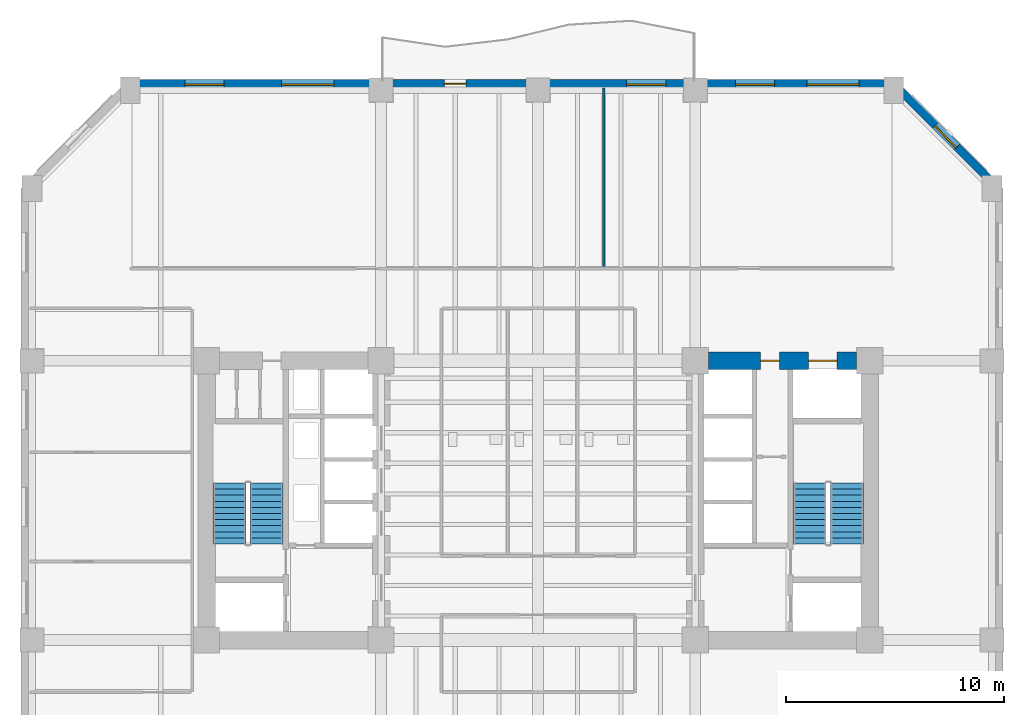
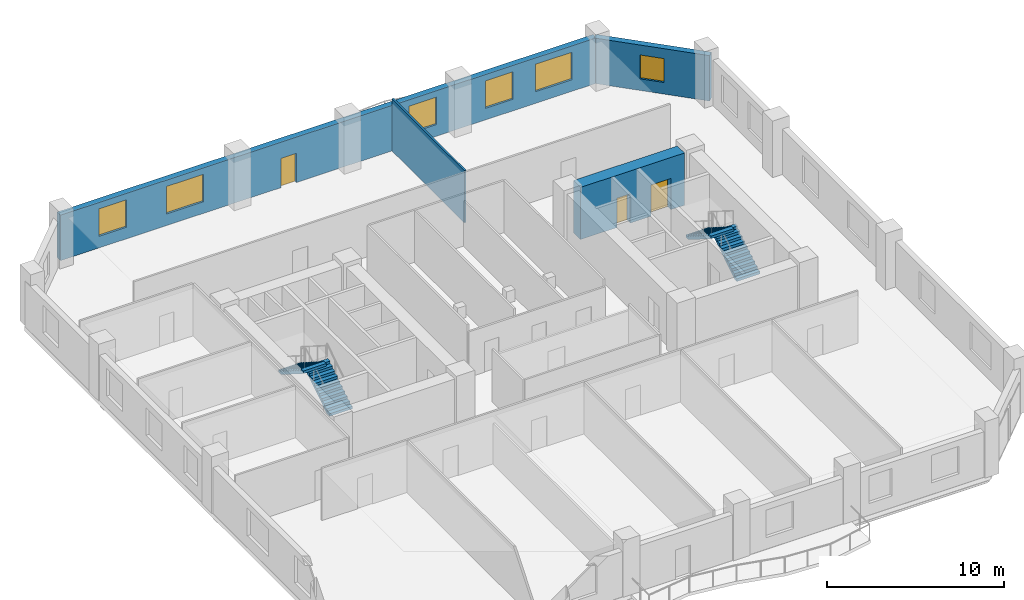
# One storey, part 5 of 10: 6 windows, 4 stair flights, 4 walls, 3 doors, 9 openings, 2 elements without a shape of their own.
"""IFC4 building model written with IfcOpenShell, lengths in metres."""

from ifc_helpers import new_model, si_unit, direction, frame, frame_2d, origin, place, context, subcontext, project, spatial, polyline, rectangle, outline, extrude, material, layer, layer_set, type_object, element, fill, aggregate, save


model = new_model("IFC4")

# Units and contexts
model_context = context("Model", 3, precision=1e-05, world=origin(), true_north=direction((0.0, 1.0)))
body_context = subcontext(model_context, "Body", "Model", "MODEL_VIEW")
ifc_project = project(units=[si_unit("LENGTHUNIT", "METRE"), si_unit("AREAUNIT", "SQUARE_METRE"), si_unit("VOLUMEUNIT", "CUBIC_METRE"), si_unit("PLANEANGLEUNIT", "RADIAN"), si_unit("MASSUNIT", "GRAM", prefix="KILO")], contexts=[model_context])

# Site, building, storey
site_placement = place(None, origin())
site = spatial("IfcSite", under=ifc_project, at=site_placement, CompositionType="ELEMENT")
building_placement = place(site_placement, origin())
building = spatial("IfcBuilding", under=site, at=building_placement, Name="Kranthara Brick Stack", CompositionType="ELEMENT")
storey_placement = place(building_placement, frame((0.0, 0.0, 39.89990234375)))
storey = spatial("IfcBuildingStorey", under=building, at=storey_placement, Name="L09", CompositionType="ELEMENT", Elevation=39.89990234375)

# Wall, openings, door, windows
ifc_material_1 = material(Name="Kiln-fired clay brick masonry M15", Category="masonry")
ifc_layer_1 = layer(ifc_material_1, 0.3798828125)
ifc_layer_set_1 = layer_set([ifc_layer_1], Name="Kiln-fired clay brick masonry M15")
wall_type_1 = type_object("IfcWallType", Name="WL-BRK-PIER-380", PredefinedType="STANDARD", material=ifc_layer_set_1)
wall_1_placement = place(storey_placement, frame((9.300048828125, 46.2900390625, 0.0), z_axis=(0.0, 0.0, 1.0), x_axis=(1.0, 0.0, 0.0)))
wall_1 = element("IfcWall", 1, at=wall_1_placement, inside=storey, type_object=wall_type_1, Name="L09 Exterior Brick Facade Wall NORTH 1", PredefinedType="STANDARD", context=body_context, shape_type="SweptSolid", body=[
    extrude(rectangle(XDim=35.0, YDim=0.3798828125, at=frame_2d((17.5, 0.0))), origin(), (0.0, 0.0, 1.0), 3.135009765625),
])
opening_1_placement = place(wall_1_placement, frame((14.39990234375, 0.0, 0.0)))
opening_1 = element("IfcOpeningElement", 2, at=opening_1_placement, cuts=wall_1, Name="Opening D03", PredefinedType="OPENING", context=body_context, shape_type="SweptSolid", body=[
    extrude(rectangle(XDim=1.0, YDim=2.02001953125, at=frame_2d((0.5, 1.010009765625))), frame((0.0, 0.199951171875, 0.0), z_axis=(0.0, -1.0, 0.0), x_axis=(1.0, 0.0, 0.0)), (0.0, 0.0, 1.0), 0.39990234375),
])
opening_2_placement = place(wall_1_placement, frame((2.510986328125, 0.0, 0.800048828125)))
opening_2 = element("IfcOpeningElement", 3, at=opening_2_placement, cuts=wall_1, Name="Opening WN01", PredefinedType="OPENING", context=body_context, shape_type="SweptSolid", body=[
    extrude(rectangle(XDim=1.800048828125, YDim=1.89990234375, at=frame_2d((0.89990234375, 0.949951171875))), frame((0.0, 0.199951171875, 0.0), z_axis=(0.0, -1.0, 0.0), x_axis=(1.0, 0.0, 0.0)), (0.0, 0.0, 1.0), 0.39990234375),
])
opening_3_placement = place(wall_1_placement, frame((6.93896484375, 0.0, 0.800048828125)))
opening_3 = element("IfcOpeningElement", 4, at=opening_3_placement, cuts=wall_1, Name="Opening WN02", PredefinedType="OPENING", context=body_context, shape_type="SweptSolid", body=[
    extrude(rectangle(XDim=2.39990234375, YDim=1.89990234375, at=frame_2d((1.199951171875, 0.949951171875))), frame((0.0, 0.199951171875, 0.0), z_axis=(0.0, -1.0, 0.0), x_axis=(1.0, 0.0, 0.0)), (0.0, 0.0, 1.0), 0.39990234375),
])
opening_4_placement = place(wall_1_placement, frame((22.75, 0.0, 0.800048828125)))
opening_4 = element("IfcOpeningElement", 5, at=opening_4_placement, cuts=wall_1, Name="Opening WN01", PredefinedType="OPENING", context=body_context, shape_type="SweptSolid", body=[
    extrude(rectangle(XDim=1.800048828125, YDim=1.89990234375, at=frame_2d((0.89990234375, 0.949951171875))), frame((0.0, 0.199951171875, 0.0), z_axis=(0.0, -1.0, 0.0), x_axis=(1.0, 0.0, 0.0)), (0.0, 0.0, 1.0), 0.39990234375),
])
opening_5_placement = place(wall_1_placement, frame((27.737060546875, 0.0, 0.800048828125)))
opening_5 = element("IfcOpeningElement", 6, at=opening_5_placement, cuts=wall_1, Name="Opening WN01", PredefinedType="OPENING", context=body_context, shape_type="SweptSolid", body=[
    extrude(rectangle(XDim=1.800048828125, YDim=1.89990234375, at=frame_2d((0.89990234375, 0.949951171875))), frame((0.0, 0.199951171875, 0.0), z_axis=(0.0, -1.0, 0.0), x_axis=(1.0, 0.0, 0.0)), (0.0, 0.0, 1.0), 0.39990234375),
])
opening_6_placement = place(wall_1_placement, frame((31.012939453125, 0.0, 0.800048828125)))
opening_6 = element("IfcOpeningElement", 7, at=opening_6_placement, cuts=wall_1, Name="Opening WN02", PredefinedType="OPENING", context=body_context, shape_type="SweptSolid", body=[
    extrude(rectangle(XDim=2.39990234375, YDim=1.89990234375, at=frame_2d((1.199951171875, 0.949951171875))), frame((0.0, 0.199951171875, 0.0), z_axis=(0.0, -1.0, 0.0), x_axis=(1.0, 0.0, 0.0)), (0.0, 0.0, 1.0), 0.39990234375),
])
ifc_material_2 = material(Name="Bronze anodised aluminium and laminated glass", Category="aluminium")
door_type_1 = type_object("IfcDoorType", Name="DR-BALC-1000", OperationType="NOTDEFINED", PredefinedType="DOOR", material=ifc_material_2)
door_1_placement = place(opening_1_placement, origin())
door_1 = element("IfcDoor", 8, at=door_1_placement, inside=storey, type_object=door_type_1, Name="L09 North Balcony Terrace Door", OperationType="SINGLE_SWING_RIGHT", OverallHeight=2.02001953125, OverallWidth=1.0, PredefinedType="DOOR", context=body_context, shape_type="SweptSolid", body=[
    extrude(rectangle(XDim=1.0, YDim=2.02001953125, at=frame_2d((0.5, 1.010009765625))), frame((0.0, 0.02490234375, 0.0), z_axis=(0.0, -1.0, 0.0), x_axis=(1.0, 0.0, 0.0)), (0.0, 0.0, 1.0), 0.050048828125),
])
fill(opening_1, door_1)
ifc_material_3 = material(Name="Double-glazed low-E solar control glass", Category="glass")
window_type_1 = type_object("IfcWindowType", Name="WN-OFF-1800x2000", PartitioningType="SINGLE_PANEL", PredefinedType="WINDOW", material=ifc_material_3)
window_1_placement = place(opening_2_placement, origin())
window_1 = element("IfcWindow", 9, at=window_1_placement, inside=storey, type_object=window_type_1, Name="L09 North Deep-Set Brick Window 01", OverallHeight=1.89990234375, OverallWidth=1.800048828125, PartitioningType="SINGLE_PANEL", PredefinedType="WINDOW", context=body_context, shape_type="SweptSolid", body=[
    extrude(rectangle(XDim=1.800048828125, YDim=1.89990234375, at=frame_2d((0.89990234375, 0.949951171875))), frame((0.0, -0.010009765625, 0.0), z_axis=(0.0, -1.0, 0.0), x_axis=(1.0, 0.0, 0.0)), (0.0, 0.0, 1.0), 0.06005859375),
])
fill(opening_2, window_1)
window_2_placement = place(opening_4_placement, origin())
window_2 = element("IfcWindow", 10, at=window_2_placement, inside=storey, type_object=window_type_1, Name="L09 North Deep-Set Brick Window 03", OverallHeight=1.89990234375, OverallWidth=1.800048828125, PartitioningType="SINGLE_PANEL", PredefinedType="WINDOW", context=body_context, shape_type="SweptSolid", body=[
    extrude(rectangle(XDim=1.800048828125, YDim=1.89990234375, at=frame_2d((0.89990234375, 0.949951171875))), frame((0.0, -0.010009765625, 0.0), z_axis=(0.0, -1.0, 0.0), x_axis=(1.0, 0.0, 0.0)), (0.0, 0.0, 1.0), 0.06005859375),
])
fill(opening_4, window_2)
window_3_placement = place(opening_5_placement, origin())
window_3 = element("IfcWindow", 11, at=window_3_placement, inside=storey, type_object=window_type_1, Name="L09 North Deep-Set Brick Window 04", OverallHeight=1.89990234375, OverallWidth=1.800048828125, PartitioningType="SINGLE_PANEL", PredefinedType="WINDOW", context=body_context, shape_type="SweptSolid", body=[
    extrude(rectangle(XDim=1.800048828125, YDim=1.89990234375, at=frame_2d((0.89990234375, 0.949951171875))), frame((0.0, -0.010009765625, 0.0), z_axis=(0.0, -1.0, 0.0), x_axis=(1.0, 0.0, 0.0)), (0.0, 0.0, 1.0), 0.06005859375),
])
fill(opening_5, window_3)
ifc_material_4 = material(Name="Double-glazed low-E solar control glass", Category="glass")
window_type_2 = type_object("IfcWindowType", Name="WN-OFF-2400x2000", PartitioningType="DOUBLE_PANEL_VERTICAL", PredefinedType="WINDOW", material=ifc_material_4)
window_4_placement = place(opening_3_placement, origin())
window_4 = element("IfcWindow", 12, at=window_4_placement, inside=storey, type_object=window_type_2, Name="L09 North Deep-Set Brick Window 02", OverallHeight=1.89990234375, OverallWidth=2.39990234375, PartitioningType="SINGLE_PANEL", PredefinedType="WINDOW", context=body_context, shape_type="SweptSolid", body=[
    extrude(rectangle(XDim=2.39990234375, YDim=1.89990234375, at=frame_2d((1.199951171875, 0.949951171875))), frame((0.0, -0.010009765625, 0.0), z_axis=(0.0, -1.0, 0.0), x_axis=(1.0, 0.0, 0.0)), (0.0, 0.0, 1.0), 0.06005859375),
])
fill(opening_3, window_4)
window_5_placement = place(opening_6_placement, origin())
window_5 = element("IfcWindow", 13, at=window_5_placement, inside=storey, type_object=window_type_2, Name="L09 North Deep-Set Brick Window 05", OverallHeight=1.89990234375, OverallWidth=2.39990234375, PartitioningType="SINGLE_PANEL", PredefinedType="WINDOW", context=body_context, shape_type="SweptSolid", body=[
    extrude(rectangle(XDim=2.39990234375, YDim=1.89990234375, at=frame_2d((1.199951171875, 0.949951171875))), frame((0.0, -0.010009765625, 0.0), z_axis=(0.0, -1.0, 0.0), x_axis=(1.0, 0.0, 0.0)), (0.0, 0.0, 1.0), 0.06005859375),
])
fill(opening_6, window_5)

# Wall, opening, window
wall_2_placement = place(storey_placement, frame((44.300048828125, 46.2900390625, 0.0), z_axis=(0.0, 0.0, 1.0), x_axis=(0.707106781187, -0.707106781187, 0.0)))
wall_2 = element("IfcWall", 14, at=wall_2_placement, inside=storey, type_object=wall_type_1, Name="L09 Exterior Brick Facade Wall NE 1", PredefinedType="STANDARD", context=body_context, shape_type="SweptSolid", body=[
    extrude(rectangle(XDim=6.774169921875, YDim=0.3798828125, at=frame_2d((3.38720703125, 0.0))), origin(), (0.0, 0.0, 1.0), 3.135009765625),
])
opening_7_placement = place(wall_2_placement, frame((2.68701171875, 0.0, 0.800048828125)))
opening_7 = element("IfcOpeningElement", 15, at=opening_7_placement, cuts=wall_2, Name="Opening WN10", PredefinedType="OPENING", context=body_context, shape_type="SweptSolid", body=[
    extrude(rectangle(XDim=1.39990234375, YDim=1.64990234375, at=frame_2d((0.699951171875, 0.824951171875))), frame((0.0, 0.199951171875, 0.0), z_axis=(0.0, -1.0, 0.0), x_axis=(1.0, 0.0, 0.0)), (0.0, 0.0, 1.0), 0.39990234375),
])
ifc_material_5 = material(Name="Double-glazed low-E solar control glass", Category="glass")
window_type_3 = type_object("IfcWindowType", Name="WN-CHM-1400x1750", PartitioningType="SINGLE_PANEL", PredefinedType="WINDOW", material=ifc_material_5)
window_6_placement = place(opening_7_placement, origin())
window_6 = element("IfcWindow", 16, at=window_6_placement, inside=storey, type_object=window_type_3, Name="L09 NE Chamfer Corner Window", OverallHeight=1.64990234375, OverallWidth=1.39990234375, PartitioningType="SINGLE_PANEL", PredefinedType="WINDOW", context=body_context, shape_type="SweptSolid", body=[
    extrude(rectangle(XDim=1.39990234375, YDim=1.64990234375, at=frame_2d((0.699951171875, 0.824951171875))), frame((0.0, -0.010009765625, 0.0), z_axis=(0.0, -1.0, 0.0), x_axis=(1.0, 0.0, 0.0)), (0.0, 0.0, 1.0), 0.06005859375),
])
fill(opening_7, window_6)

# Wall, openings, doors
ifc_material_6 = material(Name="Concrete C70/85", Category="concrete")
ifc_layer_2 = layer(ifc_material_6, 0.800048828125)
ifc_layer_set_2 = layer_set([ifc_layer_2], Name="Concrete C70/85")
wall_type_2 = type_object("IfcWallType", Name="WL-CORE-800", PredefinedType="SHEAR", material=ifc_layer_set_2)
wall_3_placement = place(storey_placement, frame((35.804931640625, 33.60009765625, 0.0), z_axis=(0.0, 0.0, 1.0), x_axis=(1.0, 0.0, 0.0)))
wall_3 = element("IfcWall", 17, at=wall_3_placement, inside=storey, type_object=wall_type_2, Name="L09 East Core Shear Wall North", PredefinedType="SHEAR", context=body_context, shape_type="SweptSolid", body=[
    extrude(rectangle(XDim=6.7900390625, YDim=0.800048828125, at=frame_2d((3.39501953125, 0.0))), origin(), (0.0, 0.0, 1.0), 3.60009765625),
])
opening_8_placement = place(wall_3_placement, frame((4.594970703125, 0.0, 0.0)))
opening_8 = element("IfcOpeningElement", 18, at=opening_8_placement, cuts=wall_3, Name="Opening LD03", PredefinedType="OPENING", context=body_context, shape_type="SweptSolid", body=[
    extrude(rectangle(XDim=1.300048828125, YDim=2.14990234375, at=frame_2d((0.64990234375, 1.074951171875))), frame((0.0, 0.409912109375, 0.0), z_axis=(0.0, -1.0, 0.0), x_axis=(1.0, 0.0, 0.0)), (0.0, 0.0, 1.0), 0.820068359375),
])
opening_9_placement = place(wall_3_placement, frame((2.39501953125, 0.0, 0.0)))
opening_9 = element("IfcOpeningElement", 19, at=opening_9_placement, cuts=wall_3, Name="Opening D10", PredefinedType="OPENING", context=body_context, shape_type="SweptSolid", body=[
    extrude(rectangle(XDim=0.85009765625, YDim=2.02001953125, at=frame_2d((0.425048828125, 1.010009765625))), frame((0.0, 0.409912109375, 0.0), z_axis=(0.0, -1.0, 0.0), x_axis=(1.0, 0.0, 0.0)), (0.0, 0.0, 1.0), 0.820068359375),
])
ifc_material_7 = material(Name="Stainless steel sliding landing door", Category="steel")
door_type_2 = type_object("IfcDoorType", Name="DR-LD-SV1300", OperationType="DOUBLE_DOOR_SLIDING", PredefinedType="DOOR", material=ifc_material_7)
door_2_placement = place(opening_8_placement, origin())
door_2 = element("IfcDoor", 20, at=door_2_placement, inside=storey, type_object=door_type_2, Name="L09 Stretcher Service Lift SV-01 Landing Door", OperationType="DOUBLE_DOOR_SLIDING", OverallHeight=2.14990234375, OverallWidth=1.300048828125, PredefinedType="DOOR", context=body_context, shape_type="SweptSolid", body=[
    extrude(rectangle(XDim=1.300048828125, YDim=2.14990234375, at=frame_2d((0.64990234375, 1.074951171875))), frame((0.0, 0.02490234375, 0.0), z_axis=(0.0, -1.0, 0.0), x_axis=(1.0, 0.0, 0.0)), (0.0, 0.0, 1.0), 0.050048828125),
])
fill(opening_8, door_2)
ifc_material_8 = material(Name="Solid-core hardwood timber leaf in steel frame", Category="steel")
door_type_3 = type_object("IfcDoorType", Name="DR-RSR-850", OperationType="NOTDEFINED", PredefinedType="DOOR", material=ifc_material_8)
door_3_placement = place(opening_9_placement, origin())
door_3 = element("IfcDoor", 21, at=door_3_placement, inside=storey, type_object=door_type_3, Name="L09 East Core Service Room Door", OperationType="SINGLE_SWING_LEFT", OverallHeight=2.02001953125, OverallWidth=0.85009765625, PredefinedType="DOOR", context=body_context, shape_type="SweptSolid", body=[
    extrude(rectangle(XDim=0.85009765625, YDim=2.02001953125, at=frame_2d((0.425048828125, 1.010009765625))), frame((0.0, 0.02490234375, 0.0), z_axis=(0.0, -1.0, 0.0), x_axis=(1.0, 0.0, 0.0)), (0.0, 0.0, 1.0), 0.050048828125),
])
fill(opening_9, door_3)

# Wall
ifc_material_9 = material(Name="Acoustic gypsum plasterboard partition", Category="other")
ifc_layer_3 = layer(ifc_material_9, 0.1201171875)
ifc_layer_set_3 = layer_set([ifc_layer_3], Name="Acoustic gypsum plasterboard partition")
wall_type_3 = type_object("IfcWallType", Name="WL-PART-120", PredefinedType="PARTITIONING", material=ifc_layer_set_3)
wall_4_placement = place(storey_placement, frame((31.0, 37.919921875, 0.0), z_axis=(0.0, 0.0, 1.0), x_axis=(0.0, 1.0, 0.0)))
element("IfcWall", 22, at=wall_4_placement, inside=storey, type_object=wall_type_3, Name="L09 Interior Partition 021", PredefinedType="PARTITIONING", context=body_context, shape_type="SweptSolid", body=[
    extrude(rectangle(XDim=8.175048828125, YDim=0.1201171875, at=frame_2d((4.08740234375, 0.0))), origin(), (0.0, 0.0, 1.0), 3.60009765625),
])

# Stair, stair flights
ifc_material_10 = material(Name="Concrete C45/55", Category="concrete")
stair_type = type_object("IfcStairType", Name="ST-CORE-22R", PredefinedType="HALF_TURN_STAIR", material=ifc_material_10)
stair_1_placement = place(storey_placement, origin())
stair_1 = element("IfcStair", 23, at=stair_1_placement, inside=storey, type_object=stair_type, Name="L09 West Core Protected Exit Stair ST01", PredefinedType="HALF_TURN_STAIR")
ifc_material_11 = material(Name="Concrete C45/55", Category="concrete")
stair_flight_type = type_object("IfcStairFlightType", Name="SFL-RC-22R", PredefinedType="STRAIGHT", material=ifc_material_11)
stair_flight_1_placement = place(storey_placement, frame((15.550048828125, 25.199951171875, 0.0), z_axis=(0.0, 0.0, 1.0), x_axis=(0.0, 1.0, 0.0)))
stair_flight_1 = element("IfcStairFlight", 24, at=stair_flight_1_placement, type_object=stair_flight_type, Name="ST01 flight 1", NumberOfRisers=11, NumberOfTreads=10, PredefinedType="STRAIGHT", RiserHeight=0.177272727, TreadLength=0.28, context=body_context, shape_type="SweptSolid", body=[
    extrude(outline(polyline([(0.0, 0.0), (0.0, 0.17724609375), (0.280029296875, 0.17724609375), (0.280029296875, 0.3544921875), (0.56005859375, 0.3544921875), (0.56005859375, 0.53173828125), (0.840087890625, 0.53173828125), (0.840087890625, 0.708984375), (1.1201171875, 0.708984375), (1.1201171875, 0.886474609375), (1.39990234375, 0.886474609375), (1.39990234375, 1.063720703125), (1.679931640625, 1.063720703125), (1.679931640625, 1.240966796875), (1.9599609375, 1.240966796875), (1.9599609375, 1.418212890625), (2.239990234375, 1.418212890625), (2.239990234375, 1.595458984375), (2.52001953125, 1.595458984375), (2.52001953125, 1.772705078125), (2.800048828125, 1.772705078125), (2.800048828125, 1.949951171875), (2.800048828125, 1.59521484375), (0.2802734375, 0.0), (0.0, 0.0)])), frame((0.0, 0.75, 0.0), z_axis=(0.0, -1.0, 0.0), x_axis=(1.0, 0.0, 0.0)), (0.0, 0.0, 1.0), 1.5),
])
stair_flight_2_placement = place(storey_placement, frame((13.85009765625, 28.0, 1.9501953125), z_axis=(0.0, 0.0, 1.0), x_axis=(0.0, -1.0, 0.0)))
stair_flight_2 = element("IfcStairFlight", 25, at=stair_flight_2_placement, type_object=stair_flight_type, Name="ST01 flight 2", NumberOfRisers=11, NumberOfTreads=10, PredefinedType="STRAIGHT", RiserHeight=0.177272727, TreadLength=0.28, context=body_context, shape_type="SweptSolid", body=[
    extrude(outline(polyline([(0.0, 0.0), (0.0, 0.17724609375), (0.280029296875, 0.17724609375), (0.280029296875, 0.3544921875), (0.56005859375, 0.3544921875), (0.56005859375, 0.53173828125), (0.840087890625, 0.53173828125), (0.840087890625, 0.708984375), (1.1201171875, 0.708984375), (1.1201171875, 0.886474609375), (1.39990234375, 0.886474609375), (1.39990234375, 1.063720703125), (1.679931640625, 1.063720703125), (1.679931640625, 1.240966796875), (1.9599609375, 1.240966796875), (1.9599609375, 1.418212890625), (2.239990234375, 1.418212890625), (2.239990234375, 1.595458984375), (2.52001953125, 1.595458984375), (2.52001953125, 1.772705078125), (2.800048828125, 1.772705078125), (2.800048828125, 1.949951171875), (2.800048828125, 1.59521484375), (0.2802734375, 0.0), (0.0, 0.0)])), frame((0.0, 0.75, 0.0), z_axis=(0.0, -1.0, 0.0), x_axis=(1.0, 0.0, 0.0)), (0.0, 0.0, 1.0), 1.5),
])
aggregate(stair_1, [stair_flight_1, stair_flight_2])

stair_2_placement = place(storey_placement, origin())
stair_2 = element("IfcStair", 26, at=stair_2_placement, inside=storey, type_object=stair_type, Name="L09 East Core Protected Exit Stair ST02", PredefinedType="HALF_TURN_STAIR")
stair_flight_3_placement = place(storey_placement, frame((42.14990234375, 25.199951171875, 0.0), z_axis=(0.0, 0.0, 1.0), x_axis=(0.0, 1.0, 0.0)))
stair_flight_3 = element("IfcStairFlight", 27, at=stair_flight_3_placement, type_object=stair_flight_type, Name="ST02 flight 1", NumberOfRisers=11, NumberOfTreads=10, PredefinedType="STRAIGHT", RiserHeight=0.177272727, TreadLength=0.28, context=body_context, shape_type="SweptSolid", body=[
    extrude(outline(polyline([(0.0, 0.0), (0.0, 0.17724609375), (0.280029296875, 0.17724609375), (0.280029296875, 0.3544921875), (0.56005859375, 0.3544921875), (0.56005859375, 0.53173828125), (0.840087890625, 0.53173828125), (0.840087890625, 0.708984375), (1.1201171875, 0.708984375), (1.1201171875, 0.886474609375), (1.39990234375, 0.886474609375), (1.39990234375, 1.063720703125), (1.679931640625, 1.063720703125), (1.679931640625, 1.240966796875), (1.9599609375, 1.240966796875), (1.9599609375, 1.418212890625), (2.239990234375, 1.418212890625), (2.239990234375, 1.595458984375), (2.52001953125, 1.595458984375), (2.52001953125, 1.772705078125), (2.800048828125, 1.772705078125), (2.800048828125, 1.949951171875), (2.800048828125, 1.59521484375), (0.2802734375, 0.0), (0.0, 0.0)])), frame((0.0, 0.75, 0.0), z_axis=(0.0, -1.0, 0.0), x_axis=(1.0, 0.0, 0.0)), (0.0, 0.0, 1.0), 1.5),
])
stair_flight_4_placement = place(storey_placement, frame((40.449951171875, 28.0, 1.9501953125), z_axis=(0.0, 0.0, 1.0), x_axis=(0.0, -1.0, 0.0)))
stair_flight_4 = element("IfcStairFlight", 28, at=stair_flight_4_placement, type_object=stair_flight_type, Name="ST02 flight 2", NumberOfRisers=11, NumberOfTreads=10, PredefinedType="STRAIGHT", RiserHeight=0.177272727, TreadLength=0.28, context=body_context, shape_type="SweptSolid", body=[
    extrude(outline(polyline([(0.0, 0.0), (0.0, 0.17724609375), (0.280029296875, 0.17724609375), (0.280029296875, 0.3544921875), (0.56005859375, 0.3544921875), (0.56005859375, 0.53173828125), (0.840087890625, 0.53173828125), (0.840087890625, 0.708984375), (1.1201171875, 0.708984375), (1.1201171875, 0.886474609375), (1.39990234375, 0.886474609375), (1.39990234375, 1.063720703125), (1.679931640625, 1.063720703125), (1.679931640625, 1.240966796875), (1.9599609375, 1.240966796875), (1.9599609375, 1.418212890625), (2.239990234375, 1.418212890625), (2.239990234375, 1.595458984375), (2.52001953125, 1.595458984375), (2.52001953125, 1.772705078125), (2.800048828125, 1.772705078125), (2.800048828125, 1.949951171875), (2.800048828125, 1.59521484375), (0.2802734375, 0.0), (0.0, 0.0)])), frame((0.0, 0.75, 0.0), z_axis=(0.0, -1.0, 0.0), x_axis=(1.0, 0.0, 0.0)), (0.0, 0.0, 1.0), 1.5),
])
aggregate(stair_2, [stair_flight_3, stair_flight_4])

save(model, "model.ifc")
